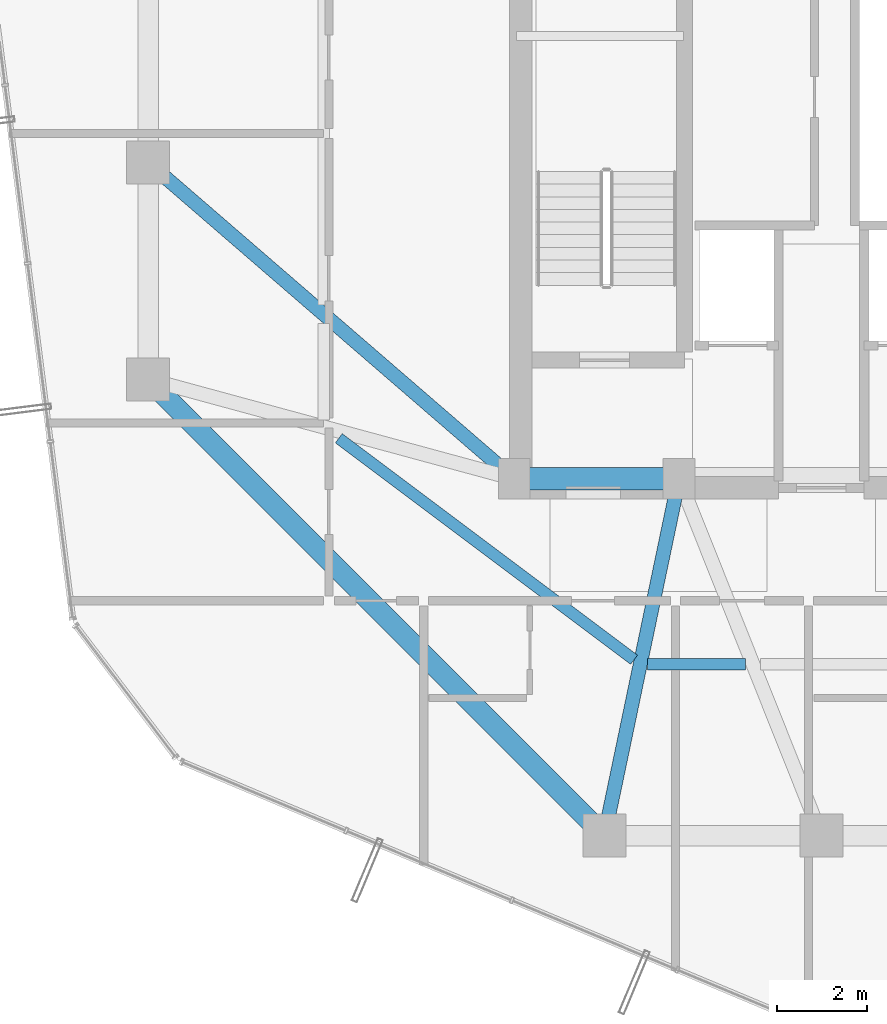
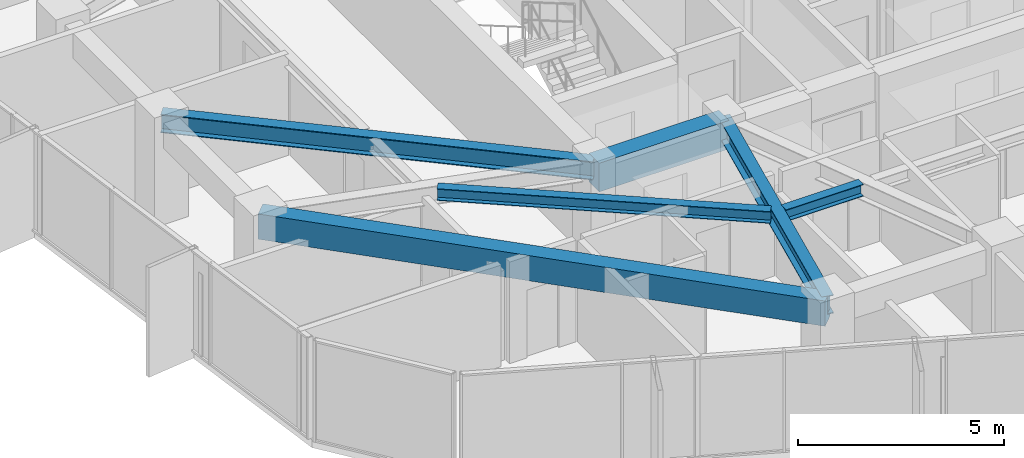
# One storey, part 6 of 32: 6 beams.
"""IFC4 building model written with IfcOpenShell, lengths in metres."""

import ifcopenshell
import ifcopenshell.guid

model = None  # the IFC model being written
_history = None  # IfcOwnerHistory: only IFC2X3 demands one
_inside = {}  # id of a spatial element -> (the spatial element, [elements in it])
_under = {}  # id of a project, library or spatial element -> (it, [spatial elements below it])
_declared = {}  # id of a project -> (the project, [libraries it declares])
_typed = {}  # id of a type object -> (the type object, [elements of that type])
_made_of = {}  # id of a material, layer set ... -> (it, [elements and type objects made of it])


def new_model(schema):
    """Start an empty IFC model of exactly this schema.

    Asked for "IFC4X3", IfcOpenShell would pick the latest addendum, in which some entities
    have other attributes; the version numbers below select the first issue.
    IFC2X3 requires an IfcOwnerHistory on every rooted entity: one is made here for all.
    """
    global model, _history
    if schema == "IFC4X3":
        model = ifcopenshell.file(schema_version=(4, 3, 0, 0))
    else:
        model = ifcopenshell.file(schema=schema)
    _inside.clear()
    _under.clear()
    _declared.clear()
    _typed.clear()
    _made_of.clear()
    _history = None
    if model.schema == "IFC2X3":
        org = make("IfcOrganization", Name="unknown")
        user = make(
            "IfcPersonAndOrganization",
            ThePerson=make("IfcPerson", FamilyName="unknown"),
            TheOrganization=org,
        )
        app = make(
            "IfcApplication",
            ApplicationDeveloper=org,
            Version="unknown",
            ApplicationFullName="unknown",
            ApplicationIdentifier="unknown",
        )
        _history = make(
            "IfcOwnerHistory",
            OwningUser=user,
            OwningApplication=app,
            ChangeAction="ADDED",
            CreationDate=0,
        )
    return model


def make(cls, **values):
    """One entity of the class cls with the attributes given. An attribute that is None is left unset."""
    return model.create_entity(
        cls, **{name: value for name, value in values.items() if value is not None}
    )


def rooted(cls, **values):
    """An entity with a GlobalId (a new one), such as an element, a storey or a relation."""
    return make(cls, GlobalId=ifcopenshell.guid.new(), OwnerHistory=_history, **values)


def si_unit(unit_type, name, prefix=None):
    """IfcSIUnit, for example si_unit("LENGTHUNIT", "METRE", prefix="MILLI")."""
    return make("IfcSIUnit", UnitType=unit_type, Prefix=prefix, Name=name)


def assignment(units):
    """IfcUnitAssignment: the units of a project."""
    return None if units is None else make("IfcUnitAssignment", Units=units)


def point(xyz):
    """IfcCartesianPoint."""
    return None if xyz is None else make("IfcCartesianPoint", Coordinates=xyz)


def direction(xyz):
    """IfcDirection."""
    return None if xyz is None else make("IfcDirection", DirectionRatios=xyz)


def frame(location, z_axis=None, x_axis=None):
    """IfcAxis2Placement3D, a coordinate frame: its origin and axes. An axis left out is left unset."""
    return make(
        "IfcAxis2Placement3D",
        Location=point(location),
        Axis=direction(z_axis),
        RefDirection=direction(x_axis),
    )


def frame_2d(location, x_axis=None):
    """IfcAxis2Placement2D, a coordinate frame in the plane: its origin and x axis."""
    return make(
        "IfcAxis2Placement2D", Location=point(location), RefDirection=direction(x_axis)
    )


def origin():
    """The frame at (0, 0, 0) with its axes left unset."""
    return frame((0.0, 0.0, 0.0))


def origin_2d():
    """The frame at (0, 0) in the plane with its x axis left unset."""
    return frame_2d((0.0, 0.0))


def place(relative_to, where):
    """IfcLocalPlacement: puts the frame where relative to a parent placement (None: the world)."""
    return make(
        "IfcLocalPlacement", PlacementRelTo=relative_to, RelativePlacement=where
    )


def context(
    kind, dimensions, precision=None, world=None, true_north=None, identifier=None
):
    """IfcGeometricRepresentationContext, for example the 3D "Model" context."""
    return make(
        "IfcGeometricRepresentationContext",
        ContextIdentifier=identifier,
        ContextType=kind,
        CoordinateSpaceDimension=dimensions,
        Precision=precision,
        WorldCoordinateSystem=world,
        TrueNorth=true_north,
    )


def subcontext(parent, identifier, kind, view, scale=None):
    """IfcGeometricRepresentationSubContext, for example "Body" below "Model"."""
    return make(
        "IfcGeometricRepresentationSubContext",
        ContextIdentifier=identifier,
        ContextType=kind,
        ParentContext=parent,
        TargetScale=scale,
        TargetView=view,
    )


def project(units=None, contexts=None):
    """IfcProject with its units and contexts."""
    return rooted(
        "IfcProject",
        Name="project",
        RepresentationContexts=contexts,
        UnitsInContext=assignment(units),
    )


def spatial(cls, under=None, at=None, **own):
    """A site, building, storey or space (cls), placed at a placement, below another one or the project."""
    s = rooted(cls, ObjectPlacement=at, **own)
    if under is not None:
        _under.setdefault(under.id(), (under, []))[1].append(s)
    return s


def profile(cls, at=None, kind="AREA", **sizes):
    """A parametric profile (cls). Its sizes go by their IFC names, for example OverallWidth=200.0."""
    return make(cls, ProfileType=kind, Position=at, **sizes)


def rectangle(**sizes):
    """IfcRectangleProfileDef."""
    return profile("IfcRectangleProfileDef", **sizes)


def i_section(**sizes):
    """IfcIShapeProfileDef."""
    return profile("IfcIShapeProfileDef", **sizes)


def extrude(swept, where, along, depth):
    """IfcExtrudedAreaSolid: the profile swept, set in the frame where, extruded along a direction by depth."""
    return make(
        "IfcExtrudedAreaSolid",
        SweptArea=swept,
        Position=where,
        ExtrudedDirection=direction(along),
        Depth=depth,
    )


def shape(context_of_items, identifier, shape_type, items):
    """IfcShapeRepresentation: the items that make up one representation, for example the "Body"."""
    return make(
        "IfcShapeRepresentation",
        ContextOfItems=context_of_items,
        RepresentationIdentifier=identifier,
        RepresentationType=shape_type,
        Items=items,
    )


def material(Name=None, Category=None):
    """IfcMaterial."""
    return make("IfcMaterial", Name=Name, Category=Category)


def material_profile(
    of_material, cross_section, Name=None, Category=None, Priority=None
):
    """IfcMaterialProfile: a cross section and its material."""
    return make(
        "IfcMaterialProfile",
        Name=Name,
        Material=of_material,
        Profile=cross_section,
        Priority=Priority,
        Category=Category,
    )


def profile_set(profiles, Name=None, composite=None):
    """IfcMaterialProfileSet."""
    return make(
        "IfcMaterialProfileSet",
        Name=Name,
        MaterialProfiles=profiles,
        CompositeProfile=composite,
    )


def made_of(thing, what):
    """Note that an element or type object is made of a material, layer set ...; save() writes the relation."""
    if what is not None:
        _made_of.setdefault(what.id(), (what, []))[1].append(thing)
    return thing


def type_object(cls, material=None, **own):
    """A type object (cls), such as IfcWallType, which elements share."""
    return made_of(rooted(cls, **own), material)


def element(
    cls,
    number,
    at=None,
    inside=None,
    cuts=None,
    type_object=None,
    material=None,
    context=None,
    identifier="Body",
    shape_type=None,
    held_by="IfcProductDefinitionShape",
    body=None,
    shapes=None,
    **own,
):
    """One element of the class cls, such as IfcWall. Its Tag is "e" and its number.

    at: its placement. inside: the storey or other place that contains it. cuts: it is an
    opening in that element (IfcRelVoidsElement). A single representation is given by context,
    identifier, shape_type and body (its items); several are given by shapes. held_by: the class
    of the entity that holds the representations. save() writes the other relations.
    """
    e = rooted(cls, Tag="e%d" % number, ObjectPlacement=at, **own)
    if body is not None:
        shapes = [shape(context, identifier, shape_type, body)]
    if shapes is not None:
        e.Representation = make(held_by, Representations=shapes)
    if inside is not None:
        _inside.setdefault(inside.id(), (inside, []))[1].append(e)
    if cuts is not None:
        rooted(
            "IfcRelVoidsElement", RelatingBuildingElement=cuts, RelatedOpeningElement=e
        )
    if type_object is not None:
        _typed.setdefault(type_object.id(), (type_object, []))[1].append(e)
    return made_of(e, material)


def aggregate(whole, parts):
    """IfcRelAggregates: a whole, such as a stair, and the parts it consists of."""
    return rooted("IfcRelAggregates", RelatingObject=whole, RelatedObjects=parts)


def save(model, path):
    """Write the relations noted so far, then the file.

    IfcRelAggregates (storeys below a building ...), IfcRelContainedInSpatialStructure (elements
    in a storey), IfcRelDefinesByType, IfcRelAssociatesMaterial and IfcRelDeclares: one each for
    every whole, place, type object, material and project.
    """
    for whole, parts in _under.values():
        aggregate(whole, parts)
    for where, things in _inside.values():
        rooted(
            "IfcRelContainedInSpatialStructure",
            RelatedElements=things,
            RelatingStructure=where,
        )
    for kind, things in _typed.values():
        rooted("IfcRelDefinesByType", RelatedObjects=things, RelatingType=kind)
    for what, things in _made_of.values():
        rooted("IfcRelAssociatesMaterial", RelatedObjects=things, RelatingMaterial=what)
    for by, libraries in _declared.values():
        rooted("IfcRelDeclares", RelatingContext=by, RelatedDefinitions=libraries)
    model.write(path)


model = new_model("IFC4")

# Units and contexts
model_context = context("Model", 3, precision=1e-05, world=origin(), true_north=direction((0.0, 1.0)))
body_context = subcontext(model_context, "Body", "Model", "MODEL_VIEW")
ifc_project = project(units=[si_unit("LENGTHUNIT", "METRE"), si_unit("AREAUNIT", "SQUARE_METRE"), si_unit("VOLUMEUNIT", "CUBIC_METRE"), si_unit("PLANEANGLEUNIT", "RADIAN"), si_unit("MASSUNIT", "GRAM", prefix="KILO")], contexts=[model_context])

# Site, building, storey
site_placement = place(None, origin())
site = spatial("IfcSite", under=ifc_project, at=site_placement, CompositionType="ELEMENT")
building_placement = place(site_placement, origin())
building = spatial("IfcBuilding", under=site, at=building_placement, Name="Veraguas Prism Commons", CompositionType="ELEMENT")
storey_placement = place(building_placement, frame((0.0, 0.0, 182.10009765625)))
storey = spatial("IfcBuildingStorey", under=building, at=storey_placement, Name="L51", CompositionType="ELEMENT", Elevation=182.10009765625)

# Beams
ifc_material_1 = material(Name="Concrete C50/60", Category="concrete")
ifc_material_profile_1 = material_profile(ifc_material_1, rectangle(XDim=0.5, YDim=0.85009765625, at=origin_2d()), Name="RC500X850")
ifc_profile_set_1 = profile_set([ifc_material_profile_1], Name="Concrete C50/60")
beam_type_1 = type_object("IfcBeamType", Name="Core Coupling Beam RC 500x850", PredefinedType="BEAM", material=ifc_profile_set_1)
beam_1_placement = place(storey_placement, frame((17.199951171875, 17.0, 2.58984375), z_axis=(1.0, 0.0, 0.0), x_axis=(0.0, 1.0, 0.0)))
element("IfcBeam", 1, at=beam_1_placement, inside=storey, type_object=beam_type_1, Name="Core Coupling Beam L51-CRS1", PredefinedType="BEAM", context=body_context, shape_type="SweptSolid", body=[
    extrude(rectangle(XDim=0.5, YDim=0.85009765625, at=origin_2d()), origin(), (0.0, 0.0, 1.0), 3.650146484375),
])
ifc_material_profile_2 = material_profile(ifc_material_1, rectangle(XDim=0.449951171875, YDim=0.75, at=origin_2d()), Name="RC450X750")
ifc_profile_set_2 = profile_set([ifc_material_profile_2], Name="Concrete C50/60")
beam_type_2 = type_object("IfcBeamType", Name="Perimeter Spandrel Upper RC 450x750", PredefinedType="SPANDREL", material=ifc_profile_set_2)
beam_2_placement = place(storey_placement, frame((9.10009765625, 19.199951171875, 2.639892578125), z_axis=(0.707106781187, -0.707106781187, 0.0), x_axis=(0.707106781187, 0.707106781187, 0.0)))
element("IfcBeam", 2, at=beam_2_placement, inside=storey, type_object=beam_type_2, Name="Perimeter Spandrel Beam L51-SP09", PredefinedType="SPANDREL", context=body_context, shape_type="SweptSolid", body=[
    extrude(rectangle(XDim=0.449951171875, YDim=0.75, at=origin_2d()), origin(), (0.0, 0.0, 1.0), 14.283447265625),
])
ifc_material_2 = material(Name="Steel ASTM A992 Grade 50", Category="steel")
ifc_material_profile_3 = material_profile(ifc_material_2, i_section(OverallWidth=0.25390625, OverallDepth=0.35302734375, WebThickness=0.009521484375, FlangeThickness=0.016357421875, at=origin_2d()), Name="W360X91")
ifc_profile_set_3 = profile_set([ifc_material_profile_3], Name="Steel ASTM A992 Grade 50")
beam_type_3 = type_object("IfcBeamType", Name="Upper Floor Joist W360x91", PredefinedType="JOIST", material=ifc_profile_set_3)
beam_3_placement = place(storey_placement, frame((13.320556640625, 17.89453125, 2.83837890625), z_axis=(0.800060962004, -0.599918708724, 0.0), x_axis=(0.599918708724, 0.800060962004, 0.0)))
element("IfcBeam", 3, at=beam_3_placement, inside=storey, type_object=beam_type_3, Name="Composite Floor Joist L51-JS09", PredefinedType="JOIST", context=body_context, shape_type="SweptSolid", body=[
    extrude(i_section(OverallWidth=0.25390625, OverallDepth=0.35302734375, WebThickness=0.009521484375, FlangeThickness=0.016357421875, at=origin_2d()), origin(), (0.0, 0.0, 1.0), 8.169189453125),
])
beam_4_placement = place(storey_placement, frame((20.148681640625, 12.89208984375, 2.83837890625), z_axis=(1.0, 0.0, 0.0), x_axis=(0.0, 1.0, 0.0)))
element("IfcBeam", 4, at=beam_4_placement, inside=storey, type_object=beam_type_3, Name="Composite Floor Joist L51-JS10", PredefinedType="JOIST", context=body_context, shape_type="SweptSolid", body=[
    extrude(i_section(OverallWidth=0.25390625, OverallDepth=0.35302734375, WebThickness=0.009521484375, FlangeThickness=0.016357421875, at=origin_2d()), origin(), (0.0, 0.0, 1.0), 2.174072265625),
])
ifc_material_profile_4 = material_profile(ifc_material_2, i_section(OverallWidth=0.31103515625, OverallDepth=0.5458984375, WebThickness=0.0146484375, FlangeThickness=0.023681640625, at=origin_2d()), Name="W530X165")
ifc_profile_set_4 = profile_set([ifc_material_profile_4], Name="Steel ASTM A992 Grade 50")
beam_type_4 = type_object("IfcBeamType", Name="Zone 3 Radial Girder W530x165", PredefinedType="BEAM", material=ifc_profile_set_4)
beam_5_placement = place(storey_placement, frame((9.10009765625, 24.0, 2.741943359375), z_axis=(0.756607086554, -0.653869800936, 0.0), x_axis=(0.653869800936, 0.756607086554, 0.0)))
element("IfcBeam", 5, at=beam_5_placement, inside=storey, type_object=beam_type_4, Name="Radial Floor Girder L51-RD08", PredefinedType="BEAM", context=body_context, shape_type="SweptSolid", body=[
    extrude(i_section(OverallWidth=0.31103515625, OverallDepth=0.5458984375, WebThickness=0.0146484375, FlangeThickness=0.023681640625, at=origin_2d()), origin(), (0.0, 0.0, 1.0), 10.70556640625),
])
beam_6_placement = place(storey_placement, frame((19.199951171875, 9.10009765625, 2.741943359375), z_axis=(0.204468851168, 0.978873070884, 0.0), x_axis=(-0.978873070884, 0.204468851168, 0.0)))
element("IfcBeam", 6, at=beam_6_placement, inside=storey, type_object=beam_type_4, Name="Radial Floor Girder L51-RD10", PredefinedType="BEAM", context=body_context, shape_type="SweptSolid", body=[
    extrude(i_section(OverallWidth=0.31103515625, OverallDepth=0.5458984375, WebThickness=0.0146484375, FlangeThickness=0.023681640625, at=origin_2d()), origin(), (0.0, 0.0, 1.0), 8.0703125),
])

save(model, "model.ifc")
